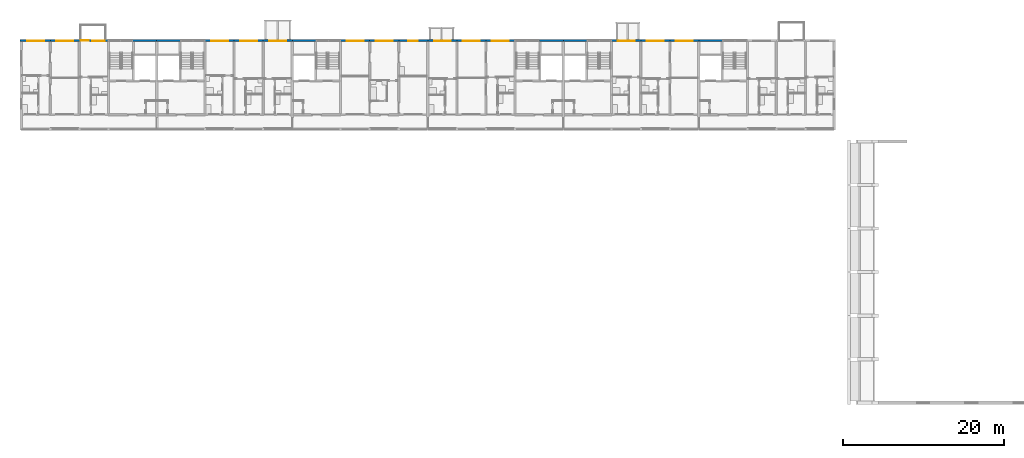
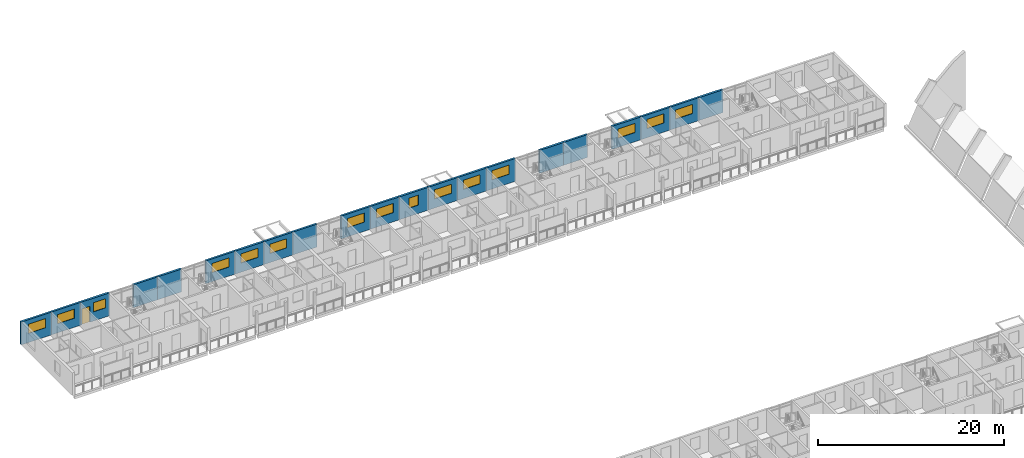
# One storey, part 45 of 100: 21 walls, 15 windows, 1 door, 16 openings.
"""IFC4 building model written with IfcOpenShell, lengths in metres."""

from ifc_helpers import new_model, si_unit, direction, frame, frame_2d, origin, place, context, subcontext, project, spatial, rectangle, extrude, material, layer, layer_set, type_object, element, fill, save


model = new_model("IFC4")

# Units and contexts
model_context = context("Model", 3, precision=1e-05, world=origin(), true_north=direction((0.0, 1.0)))
body_context = subcontext(model_context, "Body", "Model", "MODEL_VIEW")
ifc_project = project(units=[si_unit("LENGTHUNIT", "METRE"), si_unit("AREAUNIT", "SQUARE_METRE"), si_unit("VOLUMEUNIT", "CUBIC_METRE"), si_unit("PLANEANGLEUNIT", "RADIAN"), si_unit("MASSUNIT", "GRAM", prefix="KILO")], contexts=[model_context])

# Site, building, storey
site_placement = place(None, origin())
site = spatial("IfcSite", under=ifc_project, at=site_placement, CompositionType="ELEMENT")
building_placement = place(site_placement, origin())
building = spatial("IfcBuilding", under=site, at=building_placement, Name="Ridgestep Commons", CompositionType="ELEMENT")
storey_placement = place(building_placement, frame((0.0, 0.0, 9.0)))
storey = spatial("IfcBuildingStorey", under=building, at=storey_placement, Name="L03", CompositionType="ELEMENT", Elevation=9.0)

# Wall, opening, window
ifc_material_1 = material(Name="Precast concrete C40/50", Category="concrete")
ifc_layer = layer(ifc_material_1, 0.25)
ifc_layer_set = layer_set([ifc_layer], Name="North facade panel 250")
wall_type = type_object("IfcWallType", Name="North facade panel 250", PredefinedType="SOLIDWALL", material=ifc_layer_set)
wall_1_placement = place(storey_placement, frame((11.85009765625, 77.125, 0.0), z_axis=(0.0, 0.0, 1.0), x_axis=(1.0, 0.0, 0.0)))
wall_1 = element("IfcWall", 1, at=wall_1_placement, inside=storey, type_object=wall_type, Name="North panel B1T1 L03", PredefinedType="SOLIDWALL", context=body_context, shape_type="SweptSolid", body=[
    extrude(rectangle(XDim=3.75, YDim=0.25, at=frame_2d((1.875, 0.0))), origin(), (0.0, 0.0, 1.0), 3.0),
])
opening_1_placement = place(wall_1_placement, frame((0.925048828125, 0.0, 1.199951171875)))
opening_1 = element("IfcOpeningElement", 2, at=opening_1_placement, cuts=wall_1, Name="Opening W22", PredefinedType="OPENING", context=body_context, shape_type="SweptSolid", body=[
    extrude(rectangle(XDim=2.10009765625, YDim=1.199951171875, at=frame_2d((1.050048828125, 0.60009765625))), frame((0.0, 0.135009765625, 0.0), z_axis=(0.0, -1.0, 0.0), x_axis=(1.0, 0.0, 0.0)), (0.0, 0.0, 1.0), 0.27001953125),
])
ifc_material_2 = material(Name="Aluminium 6063-T6 and glass", Category="aluminium")
window_type_1 = type_object("IfcWindowType", Name="Flat window 2100 x 1200", PartitioningType="DOUBLE_PANEL_VERTICAL", PredefinedType="WINDOW", material=ifc_material_2)
window_1_placement = place(opening_1_placement, origin())
window_1 = element("IfcWindow", 3, at=window_1_placement, inside=storey, type_object=window_type_1, Name="Window B1-03a 4", OverallHeight=1.199951171875, OverallWidth=2.10009765625, PartitioningType="SINGLE_PANEL", PredefinedType="WINDOW", context=body_context, shape_type="SweptSolid", body=[
    extrude(rectangle(XDim=2.10009765625, YDim=1.199951171875, at=frame_2d((1.050048828125, 0.60009765625))), frame((0.0, -0.02490234375, 0.0), z_axis=(0.0, -1.0, 0.0), x_axis=(1.0, 0.0, 0.0)), (0.0, 0.0, 1.0), 0.06005859375),
])
fill(opening_1, window_1)

wall_2_placement = place(storey_placement, frame((15.60009765625, 77.125, 0.0), z_axis=(0.0, 0.0, 1.0), x_axis=(1.0, 0.0, 0.0)))
wall_2 = element("IfcWall", 4, at=wall_2_placement, inside=storey, type_object=wall_type, Name="North panel B1T2 L03", PredefinedType="SOLIDWALL", context=body_context, shape_type="SweptSolid", body=[
    extrude(rectangle(XDim=3.599853515625, YDim=0.25, at=frame_2d((1.7998046875, 0.0))), origin(), (0.0, 0.0, 1.0), 3.0),
])
opening_2_placement = place(wall_2_placement, frame((0.75, 0.0, 1.199951171875)))
opening_2 = element("IfcOpeningElement", 5, at=opening_2_placement, cuts=wall_2, Name="Opening W22", PredefinedType="OPENING", context=body_context, shape_type="SweptSolid", body=[
    extrude(rectangle(XDim=2.10009765625, YDim=1.199951171875, at=frame_2d((1.050048828125, 0.60009765625))), frame((0.0, 0.135009765625, 0.0), z_axis=(0.0, -1.0, 0.0), x_axis=(1.0, 0.0, 0.0)), (0.0, 0.0, 1.0), 0.27001953125),
])
window_2_placement = place(opening_2_placement, origin())
window_2 = element("IfcWindow", 6, at=window_2_placement, inside=storey, type_object=window_type_1, Name="Window B1-03a 2", OverallHeight=1.199951171875, OverallWidth=2.10009765625, PartitioningType="SINGLE_PANEL", PredefinedType="WINDOW", context=body_context, shape_type="SweptSolid", body=[
    extrude(rectangle(XDim=2.10009765625, YDim=1.199951171875, at=frame_2d((1.050048828125, 0.60009765625))), frame((0.0, -0.02490234375, 0.0), z_axis=(0.0, -1.0, 0.0), x_axis=(1.0, 0.0, 0.0)), (0.0, 0.0, 1.0), 0.06005859375),
])
fill(opening_2, window_2)

# Wall, openings, door, window
wall_3_placement = place(storey_placement, frame((19.199951171875, 77.125, 0.0), z_axis=(0.0, 0.0, 1.0), x_axis=(1.0, 0.0, 0.0)))
wall_3 = element("IfcWall", 7, at=wall_3_placement, inside=storey, type_object=wall_type, Name="North panel B1T3 L03", PredefinedType="SOLIDWALL", context=body_context, shape_type="SweptSolid", body=[
    extrude(rectangle(XDim=3.60009765625, YDim=0.25, at=frame_2d((1.800048828125, 0.0))), origin(), (0.0, 0.0, 1.0), 3.0),
])
opening_3_placement = place(wall_3_placement, frame((1.626953125, 0.0, 1.199951171875)))
opening_3 = element("IfcOpeningElement", 8, at=opening_3_placement, cuts=wall_3, Name="Opening W13", PredefinedType="OPENING", context=body_context, shape_type="SweptSolid", body=[
    extrude(rectangle(XDim=1.5, YDim=1.199951171875, at=frame_2d((0.75, 0.60009765625))), frame((0.0, 0.135009765625, 0.0), z_axis=(0.0, -1.0, 0.0), x_axis=(1.0, 0.0, 0.0)), (0.0, 0.0, 1.0), 0.27001953125),
])
opening_4_placement = place(wall_3_placement, frame((0.178955078125, 0.0, 0.0)))
opening_4 = element("IfcOpeningElement", 9, at=opening_4_placement, cuts=wall_3, Name="Opening B1-03b/5", PredefinedType="OPENING", context=body_context, shape_type="SweptSolid", body=[
    extrude(rectangle(XDim=1.0, YDim=2.10009765625, at=frame_2d((0.5, 1.050048828125))), frame((0.0, 0.135009765625, 0.0), z_axis=(0.0, -1.0, 0.0), x_axis=(1.0, 0.0, 0.0)), (0.0, 0.0, 1.0), 0.27001953125),
])
ifc_material_3 = material(Name="Aluminium and glass", Category="aluminium")
door_type = type_object("IfcDoorType", Name="Balcony door 1000 x 2100", OperationType="NOTDEFINED", PredefinedType="DOOR", material=ifc_material_3)
door_placement = place(opening_4_placement, origin())
door = element("IfcDoor", 10, at=door_placement, inside=storey, type_object=door_type, Name="Balcony door B1-03b/5", OperationType="SINGLE_SWING_RIGHT", OverallHeight=2.10009765625, OverallWidth=1.0, PredefinedType="DOOR", context=body_context, shape_type="SweptSolid", body=[
    extrude(rectangle(XDim=1.0, YDim=2.10009765625, at=frame_2d((0.5, 1.050048828125))), frame((0.0, 0.02490234375, 0.0), z_axis=(0.0, -1.0, 0.0), x_axis=(1.0, 0.0, 0.0)), (0.0, 0.0, 1.0), 0.050048828125),
])
fill(opening_4, door)
ifc_material_4 = material(Name="Aluminium 6063-T6 and glass", Category="aluminium")
window_type_2 = type_object("IfcWindowType", Name="Flat window 1500 x 1200", PartitioningType="DOUBLE_PANEL_VERTICAL", PredefinedType="WINDOW", material=ifc_material_4)
window_3_placement = place(opening_3_placement, origin())
window_3 = element("IfcWindow", 11, at=window_3_placement, inside=storey, type_object=window_type_2, Name="Window B1-03b 2", OverallHeight=1.199951171875, OverallWidth=1.5, PartitioningType="SINGLE_PANEL", PredefinedType="WINDOW", context=body_context, shape_type="SweptSolid", body=[
    extrude(rectangle(XDim=1.5, YDim=1.199951171875, at=frame_2d((0.75, 0.60009765625))), frame((0.0, -0.02490234375, 0.0), z_axis=(0.0, -1.0, 0.0), x_axis=(1.0, 0.0, 0.0)), (0.0, 0.0, 1.0), 0.06005859375),
])
fill(opening_3, window_3)

# Walls
wall_4_placement = place(storey_placement, frame((25.824951171875, 77.125, 0.0), z_axis=(0.0, 0.0, 1.0), x_axis=(1.0, 0.0, 0.0)))
element("IfcWall", 12, at=wall_4_placement, inside=storey, type_object=wall_type, Name="North panel B1C L03", PredefinedType="SOLIDWALL", context=body_context, shape_type="SweptSolid", body=[
    extrude(rectangle(XDim=2.97509765625, YDim=0.25, at=frame_2d((1.487548828125, 0.0))), origin(), (0.0, 0.0, 1.0), 3.0),
])
wall_5_placement = place(storey_placement, frame((28.800048828125, 77.125, 0.0), z_axis=(0.0, 0.0, 1.0), x_axis=(1.0, 0.0, 0.0)))
element("IfcWall", 13, at=wall_5_placement, inside=storey, type_object=wall_type, Name="North panel B2C L03", PredefinedType="SOLIDWALL", context=body_context, shape_type="SweptSolid", body=[
    extrude(rectangle(XDim=2.974853515625, YDim=0.25, at=frame_2d((1.4873046875, 0.0))), origin(), (0.0, 0.0, 1.0), 3.0),
])

# Wall, opening, window
wall_6_placement = place(storey_placement, frame((34.800048828125, 77.125, 0.0), z_axis=(0.0, 0.0, 1.0), x_axis=(1.0, 0.0, 0.0)))
wall_6 = element("IfcWall", 14, at=wall_6_placement, inside=storey, type_object=wall_type, Name="North panel B2T3 L03", PredefinedType="SOLIDWALL", context=body_context, shape_type="SweptSolid", body=[
    extrude(rectangle(XDim=3.599853515625, YDim=0.25, at=frame_2d((1.7998046875, 0.0))), origin(), (0.0, 0.0, 1.0), 3.0),
])
opening_5_placement = place(wall_6_placement, frame((0.762451171875, 0.0, 1.199951171875)))
opening_5 = element("IfcOpeningElement", 15, at=opening_5_placement, cuts=wall_6, Name="Opening W22", PredefinedType="OPENING", context=body_context, shape_type="SweptSolid", body=[
    extrude(rectangle(XDim=2.10009765625, YDim=1.199951171875, at=frame_2d((1.050048828125, 0.60009765625))), frame((0.0, 0.135009765625, 0.0), z_axis=(0.0, -1.0, 0.0), x_axis=(1.0, 0.0, 0.0)), (0.0, 0.0, 1.0), 0.27001953125),
])
window_4_placement = place(opening_5_placement, origin())
window_4 = element("IfcWindow", 16, at=window_4_placement, inside=storey, type_object=window_type_1, Name="Window B2-03c 2", OverallHeight=1.199951171875, OverallWidth=2.10009765625, PartitioningType="SINGLE_PANEL", PredefinedType="WINDOW", context=body_context, shape_type="SweptSolid", body=[
    extrude(rectangle(XDim=2.10009765625, YDim=1.199951171875, at=frame_2d((1.050048828125, 0.60009765625))), frame((0.0, -0.02490234375, 0.0), z_axis=(0.0, -1.0, 0.0), x_axis=(1.0, 0.0, 0.0)), (0.0, 0.0, 1.0), 0.06005859375),
])
fill(opening_5, window_4)

wall_7_placement = place(storey_placement, frame((38.39990234375, 77.125, 0.0), z_axis=(0.0, 0.0, 1.0), x_axis=(1.0, 0.0, 0.0)))
wall_7 = element("IfcWall", 17, at=wall_7_placement, inside=storey, type_object=wall_type, Name="North panel B2T2 L03", PredefinedType="SOLIDWALL", context=body_context, shape_type="SweptSolid", body=[
    extrude(rectangle(XDim=3.60009765625, YDim=0.25, at=frame_2d((1.800048828125, 0.0))), origin(), (0.0, 0.0, 1.0), 3.0),
])
opening_6_placement = place(wall_7_placement, frame((0.75, 0.0, 1.199951171875)))
opening_6 = element("IfcOpeningElement", 18, at=opening_6_placement, cuts=wall_7, Name="Opening W22", PredefinedType="OPENING", context=body_context, shape_type="SweptSolid", body=[
    extrude(rectangle(XDim=2.10009765625, YDim=1.199951171875, at=frame_2d((1.050048828125, 0.60009765625))), frame((0.0, 0.135009765625, 0.0), z_axis=(0.0, -1.0, 0.0), x_axis=(1.0, 0.0, 0.0)), (0.0, 0.0, 1.0), 0.27001953125),
])
window_5_placement = place(opening_6_placement, origin())
window_5 = element("IfcWindow", 19, at=window_5_placement, inside=storey, type_object=window_type_1, Name="Window B2-03b 2", OverallHeight=1.199951171875, OverallWidth=2.10009765625, PartitioningType="SINGLE_PANEL", PredefinedType="WINDOW", context=body_context, shape_type="SweptSolid", body=[
    extrude(rectangle(XDim=2.10009765625, YDim=1.199951171875, at=frame_2d((1.050048828125, 0.60009765625))), frame((0.0, -0.02490234375, 0.0), z_axis=(0.0, -1.0, 0.0), x_axis=(1.0, 0.0, 0.0)), (0.0, 0.0, 1.0), 0.06005859375),
])
fill(opening_6, window_5)

wall_8_placement = place(storey_placement, frame((42.0, 77.125, 0.0), z_axis=(0.0, 0.0, 1.0), x_axis=(1.0, 0.0, 0.0)))
wall_8 = element("IfcWall", 20, at=wall_8_placement, inside=storey, type_object=wall_type, Name="North panel B2T1 L03", PredefinedType="SOLIDWALL", context=body_context, shape_type="SweptSolid", body=[
    extrude(rectangle(XDim=3.60009765625, YDim=0.25, at=frame_2d((1.800048828125, 0.0))), origin(), (0.0, 0.0, 1.0), 3.0),
])
opening_7_placement = place(wall_8_placement, frame((0.72509765625, 0.0, 1.199951171875)))
opening_7 = element("IfcOpeningElement", 21, at=opening_7_placement, cuts=wall_8, Name="Opening W22", PredefinedType="OPENING", context=body_context, shape_type="SweptSolid", body=[
    extrude(rectangle(XDim=2.10009765625, YDim=1.199951171875, at=frame_2d((1.050048828125, 0.60009765625))), frame((0.0, 0.135009765625, 0.0), z_axis=(0.0, -1.0, 0.0), x_axis=(1.0, 0.0, 0.0)), (0.0, 0.0, 1.0), 0.27001953125),
])
window_6_placement = place(opening_7_placement, origin())
window_6 = element("IfcWindow", 22, at=window_6_placement, inside=storey, type_object=window_type_1, Name="Window B2-03a 2", OverallHeight=1.199951171875, OverallWidth=2.10009765625, PartitioningType="SINGLE_PANEL", PredefinedType="WINDOW", context=body_context, shape_type="SweptSolid", body=[
    extrude(rectangle(XDim=2.10009765625, YDim=1.199951171875, at=frame_2d((1.050048828125, 0.60009765625))), frame((0.0, -0.02490234375, 0.0), z_axis=(0.0, -1.0, 0.0), x_axis=(1.0, 0.0, 0.0)), (0.0, 0.0, 1.0), 0.06005859375),
])
fill(opening_7, window_6)

# Wall
wall_9_placement = place(storey_placement, frame((45.60009765625, 77.125, 0.0), z_axis=(0.0, 0.0, 1.0), x_axis=(1.0, 0.0, 0.0)))
element("IfcWall", 23, at=wall_9_placement, inside=storey, type_object=wall_type, Name="North panel B3C L03", PredefinedType="SOLIDWALL", context=body_context, shape_type="SweptSolid", body=[
    extrude(rectangle(XDim=2.974853515625, YDim=0.25, at=frame_2d((1.4873046875, 0.0))), origin(), (0.0, 0.0, 1.0), 3.0),
])

# Wall, opening, window
wall_10_placement = place(storey_placement, frame((51.60009765625, 77.125, 0.0), z_axis=(0.0, 0.0, 1.0), x_axis=(1.0, 0.0, 0.0)))
wall_10 = element("IfcWall", 24, at=wall_10_placement, inside=storey, type_object=wall_type, Name="North panel B3T3 L03", PredefinedType="SOLIDWALL", context=body_context, shape_type="SweptSolid", body=[
    extrude(rectangle(XDim=3.599853515625, YDim=0.25, at=frame_2d((1.7998046875, 0.0))), origin(), (0.0, 0.0, 1.0), 3.0),
])
opening_8_placement = place(wall_10_placement, frame((0.762451171875, 0.0, 1.199951171875)))
opening_8 = element("IfcOpeningElement", 25, at=opening_8_placement, cuts=wall_10, Name="Opening W22", PredefinedType="OPENING", context=body_context, shape_type="SweptSolid", body=[
    extrude(rectangle(XDim=2.10009765625, YDim=1.199951171875, at=frame_2d((1.050048828125, 0.60009765625))), frame((0.0, 0.135009765625, 0.0), z_axis=(0.0, -1.0, 0.0), x_axis=(1.0, 0.0, 0.0)), (0.0, 0.0, 1.0), 0.27001953125),
])
window_7_placement = place(opening_8_placement, origin())
window_7 = element("IfcWindow", 26, at=window_7_placement, inside=storey, type_object=window_type_1, Name="Window B3-03a 2", OverallHeight=1.199951171875, OverallWidth=2.10009765625, PartitioningType="SINGLE_PANEL", PredefinedType="WINDOW", context=body_context, shape_type="SweptSolid", body=[
    extrude(rectangle(XDim=2.10009765625, YDim=1.199951171875, at=frame_2d((1.050048828125, 0.60009765625))), frame((0.0, -0.02490234375, 0.0), z_axis=(0.0, -1.0, 0.0), x_axis=(1.0, 0.0, 0.0)), (0.0, 0.0, 1.0), 0.06005859375),
])
fill(opening_8, window_7)

wall_11_placement = place(storey_placement, frame((55.199951171875, 77.125, 0.0), z_axis=(0.0, 0.0, 1.0), x_axis=(1.0, 0.0, 0.0)))
wall_11 = element("IfcWall", 27, at=wall_11_placement, inside=storey, type_object=wall_type, Name="North panel B3T2 L03", PredefinedType="SOLIDWALL", context=body_context, shape_type="SweptSolid", body=[
    extrude(rectangle(XDim=3.60009765625, YDim=0.25, at=frame_2d((1.800048828125, 0.0))), origin(), (0.0, 0.0, 1.0), 3.0),
])
opening_9_placement = place(wall_11_placement, frame((0.75, 0.0, 1.199951171875)))
opening_9 = element("IfcOpeningElement", 28, at=opening_9_placement, cuts=wall_11, Name="Opening W22", PredefinedType="OPENING", context=body_context, shape_type="SweptSolid", body=[
    extrude(rectangle(XDim=2.10009765625, YDim=1.199951171875, at=frame_2d((1.050048828125, 0.60009765625))), frame((0.0, 0.135009765625, 0.0), z_axis=(0.0, -1.0, 0.0), x_axis=(1.0, 0.0, 0.0)), (0.0, 0.0, 1.0), 0.27001953125),
])
window_8_placement = place(opening_9_placement, origin())
window_8 = element("IfcWindow", 29, at=window_8_placement, inside=storey, type_object=window_type_1, Name="Window B3-03a 5", OverallHeight=1.199951171875, OverallWidth=2.10009765625, PartitioningType="SINGLE_PANEL", PredefinedType="WINDOW", context=body_context, shape_type="SweptSolid", body=[
    extrude(rectangle(XDim=2.10009765625, YDim=1.199951171875, at=frame_2d((1.050048828125, 0.60009765625))), frame((0.0, -0.02490234375, 0.0), z_axis=(0.0, -1.0, 0.0), x_axis=(1.0, 0.0, 0.0)), (0.0, 0.0, 1.0), 0.06005859375),
])
fill(opening_9, window_8)

wall_12_placement = place(storey_placement, frame((58.800048828125, 77.125, 0.0), z_axis=(0.0, 0.0, 1.0), x_axis=(1.0, 0.0, 0.0)))
wall_12 = element("IfcWall", 30, at=wall_12_placement, inside=storey, type_object=wall_type, Name="North panel B3T1 L03", PredefinedType="SOLIDWALL", context=body_context, shape_type="SweptSolid", body=[
    extrude(rectangle(XDim=3.599853515625, YDim=0.25, at=frame_2d((1.7998046875, 0.0))), origin(), (0.0, 0.0, 1.0), 3.0),
])
opening_10_placement = place(wall_12_placement, frame((1.175048828125, 0.0, 1.10009765625)))
opening_10 = element("IfcOpeningElement", 31, at=opening_10_placement, cuts=wall_12, Name="Opening W08", PredefinedType="OPENING", context=body_context, shape_type="SweptSolid", body=[
    extrude(rectangle(XDim=1.199951171875, YDim=1.300048828125, at=frame_2d((0.60009765625, 0.64990234375))), frame((0.0, 0.135009765625, 0.0), z_axis=(0.0, -1.0, 0.0), x_axis=(1.0, 0.0, 0.0)), (0.0, 0.0, 1.0), 0.27001953125),
])
ifc_material_5 = material(Name="Aluminium 6063-T6 and glass", Category="aluminium")
window_type_3 = type_object("IfcWindowType", Name="Flat window 1200 x 1300", PartitioningType="SINGLE_PANEL", PredefinedType="WINDOW", material=ifc_material_5)
window_9_placement = place(opening_10_placement, origin())
window_9 = element("IfcWindow", 32, at=window_9_placement, inside=storey, type_object=window_type_3, Name="Window B3-03a 4", OverallHeight=1.300048828125, OverallWidth=1.199951171875, PartitioningType="SINGLE_PANEL", PredefinedType="WINDOW", context=body_context, shape_type="SweptSolid", body=[
    extrude(rectangle(XDim=1.199951171875, YDim=1.300048828125, at=frame_2d((0.60009765625, 0.64990234375))), frame((0.0, -0.02490234375, 0.0), z_axis=(0.0, -1.0, 0.0), x_axis=(1.0, 0.0, 0.0)), (0.0, 0.0, 1.0), 0.06005859375),
])
fill(opening_10, window_9)

wall_13_placement = place(storey_placement, frame((62.39990234375, 77.125, 0.0), z_axis=(0.0, 0.0, 1.0), x_axis=(1.0, 0.0, 0.0)))
wall_13 = element("IfcWall", 33, at=wall_13_placement, inside=storey, type_object=wall_type, Name="North panel B4T1 L03", PredefinedType="SOLIDWALL", context=body_context, shape_type="SweptSolid", body=[
    extrude(rectangle(XDim=3.60009765625, YDim=0.25, at=frame_2d((1.800048828125, 0.0))), origin(), (0.0, 0.0, 1.0), 3.0),
])
opening_11_placement = place(wall_13_placement, frame((0.77490234375, 0.0, 1.199951171875)))
opening_11 = element("IfcOpeningElement", 34, at=opening_11_placement, cuts=wall_13, Name="Opening W22", PredefinedType="OPENING", context=body_context, shape_type="SweptSolid", body=[
    extrude(rectangle(XDim=2.10009765625, YDim=1.199951171875, at=frame_2d((1.050048828125, 0.60009765625))), frame((0.0, 0.135009765625, 0.0), z_axis=(0.0, -1.0, 0.0), x_axis=(1.0, 0.0, 0.0)), (0.0, 0.0, 1.0), 0.27001953125),
])
window_10_placement = place(opening_11_placement, origin())
window_10 = element("IfcWindow", 35, at=window_10_placement, inside=storey, type_object=window_type_1, Name="Window B4-03a 2", OverallHeight=1.199951171875, OverallWidth=2.10009765625, PartitioningType="SINGLE_PANEL", PredefinedType="WINDOW", context=body_context, shape_type="SweptSolid", body=[
    extrude(rectangle(XDim=2.10009765625, YDim=1.199951171875, at=frame_2d((1.050048828125, 0.60009765625))), frame((0.0, -0.02490234375, 0.0), z_axis=(0.0, -1.0, 0.0), x_axis=(1.0, 0.0, 0.0)), (0.0, 0.0, 1.0), 0.06005859375),
])
fill(opening_11, window_10)

wall_14_placement = place(storey_placement, frame((66.0, 77.125, 0.0), z_axis=(0.0, 0.0, 1.0), x_axis=(1.0, 0.0, 0.0)))
wall_14 = element("IfcWall", 36, at=wall_14_placement, inside=storey, type_object=wall_type, Name="North panel B4T2 L03", PredefinedType="SOLIDWALL", context=body_context, shape_type="SweptSolid", body=[
    extrude(rectangle(XDim=3.60009765625, YDim=0.25, at=frame_2d((1.800048828125, 0.0))), origin(), (0.0, 0.0, 1.0), 3.0),
])
opening_12_placement = place(wall_14_placement, frame((0.75, 0.0, 1.199951171875)))
opening_12 = element("IfcOpeningElement", 37, at=opening_12_placement, cuts=wall_14, Name="Opening W22", PredefinedType="OPENING", context=body_context, shape_type="SweptSolid", body=[
    extrude(rectangle(XDim=2.10009765625, YDim=1.199951171875, at=frame_2d((1.050048828125, 0.60009765625))), frame((0.0, 0.135009765625, 0.0), z_axis=(0.0, -1.0, 0.0), x_axis=(1.0, 0.0, 0.0)), (0.0, 0.0, 1.0), 0.27001953125),
])
window_11_placement = place(opening_12_placement, origin())
window_11 = element("IfcWindow", 38, at=window_11_placement, inside=storey, type_object=window_type_1, Name="Window B4-03b 2", OverallHeight=1.199951171875, OverallWidth=2.10009765625, PartitioningType="SINGLE_PANEL", PredefinedType="WINDOW", context=body_context, shape_type="SweptSolid", body=[
    extrude(rectangle(XDim=2.10009765625, YDim=1.199951171875, at=frame_2d((1.050048828125, 0.60009765625))), frame((0.0, -0.02490234375, 0.0), z_axis=(0.0, -1.0, 0.0), x_axis=(1.0, 0.0, 0.0)), (0.0, 0.0, 1.0), 0.06005859375),
])
fill(opening_12, window_11)

wall_15_placement = place(storey_placement, frame((69.60009765625, 77.125, 0.0), z_axis=(0.0, 0.0, 1.0), x_axis=(1.0, 0.0, 0.0)))
wall_15 = element("IfcWall", 39, at=wall_15_placement, inside=storey, type_object=wall_type, Name="North panel B4T3 L03", PredefinedType="SOLIDWALL", context=body_context, shape_type="SweptSolid", body=[
    extrude(rectangle(XDim=3.599853515625, YDim=0.25, at=frame_2d((1.7998046875, 0.0))), origin(), (0.0, 0.0, 1.0), 3.0),
])
opening_13_placement = place(wall_15_placement, frame((0.737548828125, 0.0, 1.199951171875)))
opening_13 = element("IfcOpeningElement", 40, at=opening_13_placement, cuts=wall_15, Name="Opening W22", PredefinedType="OPENING", context=body_context, shape_type="SweptSolid", body=[
    extrude(rectangle(XDim=2.10009765625, YDim=1.199951171875, at=frame_2d((1.050048828125, 0.60009765625))), frame((0.0, 0.135009765625, 0.0), z_axis=(0.0, -1.0, 0.0), x_axis=(1.0, 0.0, 0.0)), (0.0, 0.0, 1.0), 0.27001953125),
])
window_12_placement = place(opening_13_placement, origin())
window_12 = element("IfcWindow", 41, at=window_12_placement, inside=storey, type_object=window_type_1, Name="Window B4-03b 4", OverallHeight=1.199951171875, OverallWidth=2.10009765625, PartitioningType="SINGLE_PANEL", PredefinedType="WINDOW", context=body_context, shape_type="SweptSolid", body=[
    extrude(rectangle(XDim=2.10009765625, YDim=1.199951171875, at=frame_2d((1.050048828125, 0.60009765625))), frame((0.0, -0.02490234375, 0.0), z_axis=(0.0, -1.0, 0.0), x_axis=(1.0, 0.0, 0.0)), (0.0, 0.0, 1.0), 0.06005859375),
])
fill(opening_13, window_12)

# Walls
wall_16_placement = place(storey_placement, frame((76.22509765625, 77.125, 0.0), z_axis=(0.0, 0.0, 1.0), x_axis=(1.0, 0.0, 0.0)))
element("IfcWall", 42, at=wall_16_placement, inside=storey, type_object=wall_type, Name="North panel B4C L03", PredefinedType="SOLIDWALL", context=body_context, shape_type="SweptSolid", body=[
    extrude(rectangle(XDim=2.974853515625, YDim=0.25, at=frame_2d((1.4873046875, 0.0))), origin(), (0.0, 0.0, 1.0), 3.0),
])
wall_17_placement = place(storey_placement, frame((79.199951171875, 77.125, 0.0), z_axis=(0.0, 0.0, 1.0), x_axis=(1.0, 0.0, 0.0)))
element("IfcWall", 43, at=wall_17_placement, inside=storey, type_object=wall_type, Name="North panel B5C L03", PredefinedType="SOLIDWALL", context=body_context, shape_type="SweptSolid", body=[
    extrude(rectangle(XDim=2.97509765625, YDim=0.25, at=frame_2d((1.487548828125, 0.0))), origin(), (0.0, 0.0, 1.0), 3.0),
])

# Wall, opening, window
wall_18_placement = place(storey_placement, frame((85.199951171875, 77.125, 0.0), z_axis=(0.0, 0.0, 1.0), x_axis=(1.0, 0.0, 0.0)))
wall_18 = element("IfcWall", 44, at=wall_18_placement, inside=storey, type_object=wall_type, Name="North panel B5T3 L03", PredefinedType="SOLIDWALL", context=body_context, shape_type="SweptSolid", body=[
    extrude(rectangle(XDim=3.60009765625, YDim=0.25, at=frame_2d((1.800048828125, 0.0))), origin(), (0.0, 0.0, 1.0), 3.0),
])
opening_14_placement = place(wall_18_placement, frame((0.762451171875, 0.0, 1.199951171875)))
opening_14 = element("IfcOpeningElement", 45, at=opening_14_placement, cuts=wall_18, Name="Opening W22", PredefinedType="OPENING", context=body_context, shape_type="SweptSolid", body=[
    extrude(rectangle(XDim=2.10009765625, YDim=1.199951171875, at=frame_2d((1.050048828125, 0.60009765625))), frame((0.0, 0.135009765625, 0.0), z_axis=(0.0, -1.0, 0.0), x_axis=(1.0, 0.0, 0.0)), (0.0, 0.0, 1.0), 0.27001953125),
])
window_13_placement = place(opening_14_placement, origin())
window_13 = element("IfcWindow", 46, at=window_13_placement, inside=storey, type_object=window_type_1, Name="Window B5-03b 2", OverallHeight=1.199951171875, OverallWidth=2.10009765625, PartitioningType="SINGLE_PANEL", PredefinedType="WINDOW", context=body_context, shape_type="SweptSolid", body=[
    extrude(rectangle(XDim=2.10009765625, YDim=1.199951171875, at=frame_2d((1.050048828125, 0.60009765625))), frame((0.0, -0.02490234375, 0.0), z_axis=(0.0, -1.0, 0.0), x_axis=(1.0, 0.0, 0.0)), (0.0, 0.0, 1.0), 0.06005859375),
])
fill(opening_14, window_13)

wall_19_placement = place(storey_placement, frame((88.800048828125, 77.125, 0.0), z_axis=(0.0, 0.0, 1.0), x_axis=(1.0, 0.0, 0.0)))
wall_19 = element("IfcWall", 47, at=wall_19_placement, inside=storey, type_object=wall_type, Name="North panel B5T2 L03", PredefinedType="SOLIDWALL", context=body_context, shape_type="SweptSolid", body=[
    extrude(rectangle(XDim=3.599853515625, YDim=0.25, at=frame_2d((1.7998046875, 0.0))), origin(), (0.0, 0.0, 1.0), 3.0),
])
opening_15_placement = place(wall_19_placement, frame((0.75, 0.0, 1.199951171875)))
opening_15 = element("IfcOpeningElement", 48, at=opening_15_placement, cuts=wall_19, Name="Opening W22", PredefinedType="OPENING", context=body_context, shape_type="SweptSolid", body=[
    extrude(rectangle(XDim=2.10009765625, YDim=1.199951171875, at=frame_2d((1.050048828125, 0.60009765625))), frame((0.0, 0.135009765625, 0.0), z_axis=(0.0, -1.0, 0.0), x_axis=(1.0, 0.0, 0.0)), (0.0, 0.0, 1.0), 0.27001953125),
])
window_14_placement = place(opening_15_placement, origin())
window_14 = element("IfcWindow", 49, at=window_14_placement, inside=storey, type_object=window_type_1, Name="Window B5-03a 4", OverallHeight=1.199951171875, OverallWidth=2.10009765625, PartitioningType="SINGLE_PANEL", PredefinedType="WINDOW", context=body_context, shape_type="SweptSolid", body=[
    extrude(rectangle(XDim=2.10009765625, YDim=1.199951171875, at=frame_2d((1.050048828125, 0.60009765625))), frame((0.0, -0.02490234375, 0.0), z_axis=(0.0, -1.0, 0.0), x_axis=(1.0, 0.0, 0.0)), (0.0, 0.0, 1.0), 0.06005859375),
])
fill(opening_15, window_14)

wall_20_placement = place(storey_placement, frame((92.39990234375, 77.125, 0.0), z_axis=(0.0, 0.0, 1.0), x_axis=(1.0, 0.0, 0.0)))
wall_20 = element("IfcWall", 50, at=wall_20_placement, inside=storey, type_object=wall_type, Name="North panel B5T1 L03", PredefinedType="SOLIDWALL", context=body_context, shape_type="SweptSolid", body=[
    extrude(rectangle(XDim=3.60009765625, YDim=0.25, at=frame_2d((1.800048828125, 0.0))), origin(), (0.0, 0.0, 1.0), 3.0),
])
opening_16_placement = place(wall_20_placement, frame((0.72509765625, 0.0, 1.199951171875)))
opening_16 = element("IfcOpeningElement", 51, at=opening_16_placement, cuts=wall_20, Name="Opening W22", PredefinedType="OPENING", context=body_context, shape_type="SweptSolid", body=[
    extrude(rectangle(XDim=2.10009765625, YDim=1.199951171875, at=frame_2d((1.050048828125, 0.60009765625))), frame((0.0, 0.135009765625, 0.0), z_axis=(0.0, -1.0, 0.0), x_axis=(1.0, 0.0, 0.0)), (0.0, 0.0, 1.0), 0.27001953125),
])
window_15_placement = place(opening_16_placement, origin())
window_15 = element("IfcWindow", 52, at=window_15_placement, inside=storey, type_object=window_type_1, Name="Window B5-03a 2", OverallHeight=1.199951171875, OverallWidth=2.10009765625, PartitioningType="SINGLE_PANEL", PredefinedType="WINDOW", context=body_context, shape_type="SweptSolid", body=[
    extrude(rectangle(XDim=2.10009765625, YDim=1.199951171875, at=frame_2d((1.050048828125, 0.60009765625))), frame((0.0, -0.02490234375, 0.0), z_axis=(0.0, -1.0, 0.0), x_axis=(1.0, 0.0, 0.0)), (0.0, 0.0, 1.0), 0.06005859375),
])
fill(opening_16, window_15)

# Wall
wall_21_placement = place(storey_placement, frame((96.0, 77.125, 0.0), z_axis=(0.0, 0.0, 1.0), x_axis=(1.0, 0.0, 0.0)))
element("IfcWall", 53, at=wall_21_placement, inside=storey, type_object=wall_type, Name="North panel B6C L03", PredefinedType="SOLIDWALL", context=body_context, shape_type="SweptSolid", body=[
    extrude(rectangle(XDim=2.97509765625, YDim=0.25, at=frame_2d((1.487548828125, 0.0))), origin(), (0.0, 0.0, 1.0), 3.0),
])

save(model, "model.ifc")
